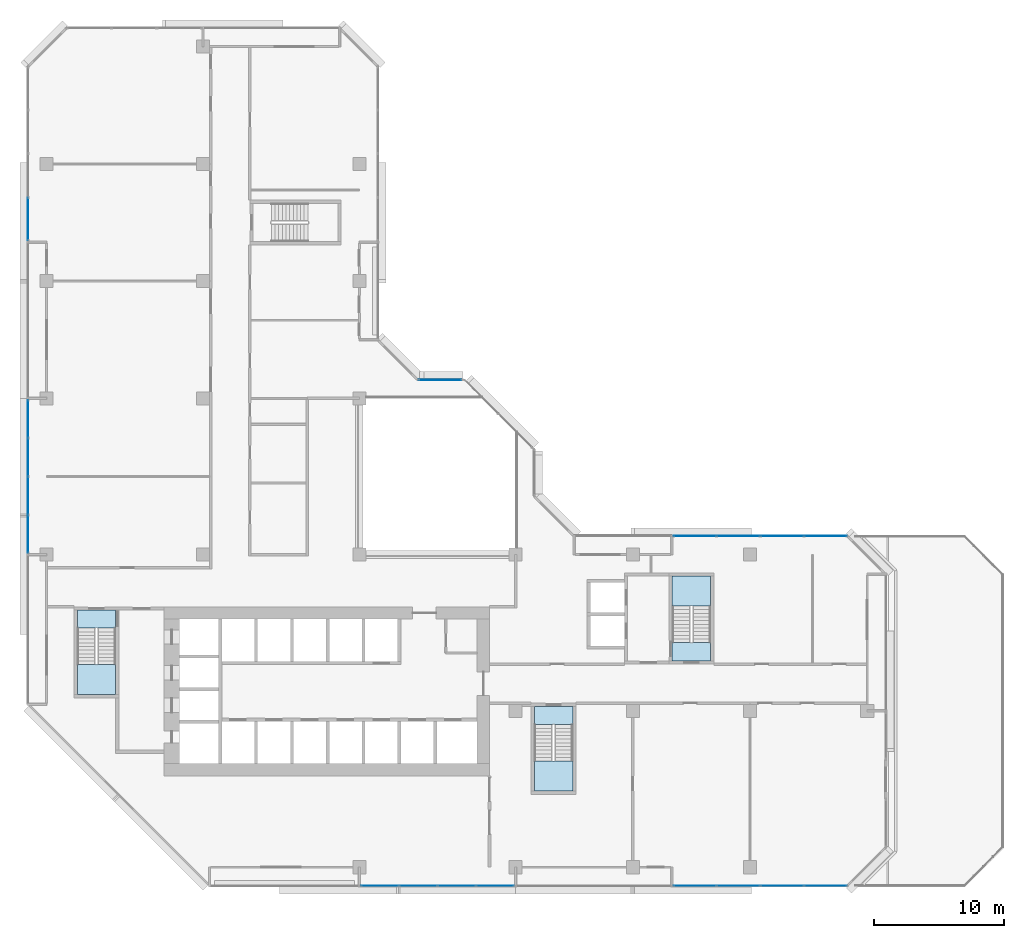
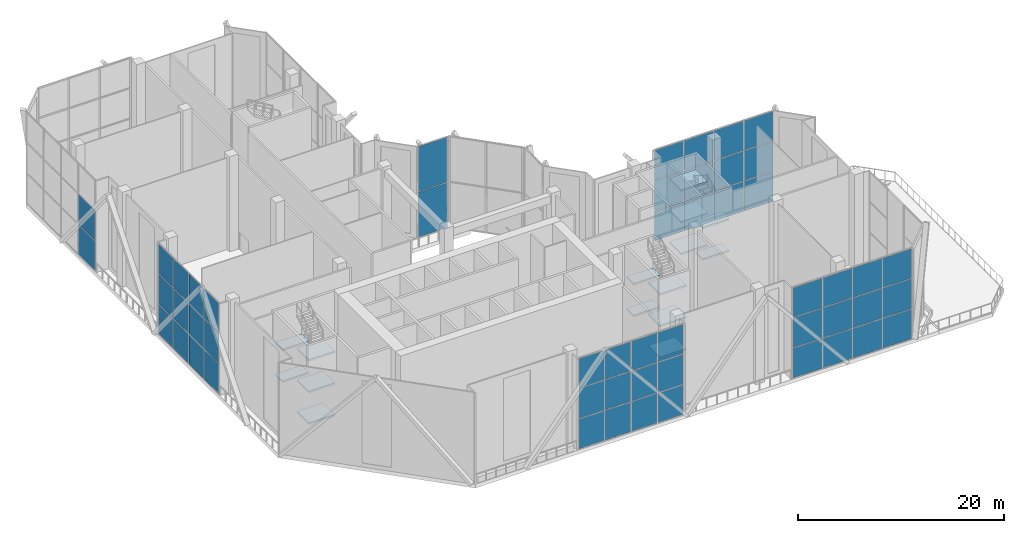
# One storey, part 10 of 21: 52 plates, 15 slabs, 9 elements without a shape of their own.
"""IFC4 building model written with IfcOpenShell, lengths in metres."""

from ifc_helpers import new_model, si_unit, direction, frame, origin, origin_2d, place, context, subcontext, project, spatial, polyline, rectangle, outline, extrude, material, layer, layer_set, type_object, element, aggregate, save


model = new_model("IFC4")

# Units and contexts
model_context = context("Model", 3, precision=1e-05, world=origin(), true_north=direction((0.0, 1.0)))
body_context = subcontext(model_context, "Body", "Model", "MODEL_VIEW")
ifc_project = project(units=[si_unit("LENGTHUNIT", "METRE"), si_unit("AREAUNIT", "SQUARE_METRE"), si_unit("VOLUMEUNIT", "CUBIC_METRE"), si_unit("PLANEANGLEUNIT", "RADIAN"), si_unit("MASSUNIT", "GRAM", prefix="KILO")], contexts=[model_context])

# Site, building, storey
site_placement = place(None, origin())
site = spatial("IfcSite", under=ifc_project, at=site_placement, CompositionType="ELEMENT")
building_placement = place(site_placement, origin())
building = spatial("IfcBuilding", under=site, at=building_placement, Name="Chenar Terraces", CompositionType="ELEMENT")
storey_placement = place(building_placement, frame((0.0, 0.0, 146.14990234375)))
storey = spatial("IfcBuildingStorey", under=building, at=storey_placement, Name="L34", CompositionType="ELEMENT", Elevation=146.14990234375)

# Curtain wall, plates
ifc_material_1 = material(Name="Aluminium framed glazing", Category="aluminium")
ifc_layer_1 = layer(ifc_material_1, 0.14990234375)
ifc_layer_set_1 = layer_set([ifc_layer_1], Name="Aluminium framed glazing")
curtain_wall_type_1 = type_object("IfcCurtainWallType", Name="Atrium mid-zone curtain wall", PredefinedType="NOTDEFINED", material=ifc_layer_set_1)
placement_1 = place(storey_placement, origin())
curtain_wall_1 = element("IfcCurtainWall", 1, at=placement_1, inside=storey, type_object=curtain_wall_type_1, Name="Atrium mid-zone curtain wall", PredefinedType="NOTDEFINED")
ifc_material_2 = material(Name="Low emissivity laminated glass, solar control coating", Category="glass")
ifc_layer_2 = layer(ifc_material_2, 0.031982421875)
ifc_layer_set_2 = layer_set([ifc_layer_2], Name="Low emissivity laminated glass, solar control coating")
plate_type_1 = type_object("IfcPlateType", Name="Atrium mid-zone glazing panel 32", PredefinedType="CURTAIN_PANEL", material=ifc_layer_set_2)
plate_1_placement = place(storey_placement, frame((30.199951171875, 37.425048828125, 0.06982421875), z_axis=(0.0, 0.0, 1.0), x_axis=(-1.0, 0.0, 0.0)))
plate_1 = element("IfcPlate", 2, at=plate_1_placement, type_object=plate_type_1, Name="CW7-3 panel 1.1", PredefinedType="CURTAIN_PANEL", context=body_context, shape_type="SweptSolid", body=[
    extrude(rectangle(XDim=3.260009765625, YDim=0.031982421875, at=origin_2d()), origin(), (0.0, 0.0, 1.0), 5.320068359375),
])
plate_2_placement = place(storey_placement, frame((30.199951171875, 37.425048828125, 5.4599609375), z_axis=(0.0, 0.0, 1.0), x_axis=(-1.0, 0.0, 0.0)))
plate_2 = element("IfcPlate", 3, at=plate_2_placement, type_object=plate_type_1, Name="CW7-3 panel 1.2", PredefinedType="CURTAIN_PANEL", context=body_context, shape_type="SweptSolid", body=[
    extrude(rectangle(XDim=3.260009765625, YDim=0.031982421875, at=origin_2d()), origin(), (0.0, 0.0, 1.0), 5.320068359375),
])
aggregate(curtain_wall_1, [plate_1, plate_2])

# Stair, slabs
ifc_material_3 = material(Name="Reinforced concrete C40/50", Category="concrete")
stair_type = type_object("IfcStairType", Name="Core stair 1400 half-turn", PredefinedType="HALF_TURN_STAIR", material=ifc_material_3)
stair_1 = element("IfcStair", 4, at=placement_1, inside=storey, type_object=stair_type, Name="L34 Stair 1", PredefinedType="HALF_TURN_STAIR")
ifc_material_4 = material(Name="Reinforced concrete C40/50", Category="concrete")
ifc_layer_3 = layer(ifc_material_4, 0.199951171875)
ifc_layer_set_3 = layer_set([ifc_layer_3], Name="Reinforced concrete C40/50")
slab_type = type_object("IfcSlabType", Name="Core stair landing 200", PredefinedType="LANDING", material=ifc_layer_set_3)
placement_2 = place(storey_placement, frame((0.0, 0.0, 1.675048828125)))
slab_1 = element("IfcSlab", 5, at=placement_2, type_object=slab_type, Name="ST1 landing 1", PredefinedType="LANDING", context=body_context, shape_type="SweptSolid", body=[
    extrude(outline(polyline([(2.35009765625, 15.550048828125), (2.35009765625, 13.25), (5.300048828125, 13.25), (5.300048828125, 15.550048828125), (2.35009765625, 15.550048828125)])), origin(), (0.0, 0.0, 1.0), 0.199951171875),
])
placement_3 = place(storey_placement, frame((0.0, 0.0, 3.550048828125)))
slab_2 = element("IfcSlab", 6, at=placement_3, type_object=slab_type, Name="ST1 landing 2", PredefinedType="LANDING", context=body_context, shape_type="SweptSolid", body=[
    extrude(outline(polyline([(2.35009765625, 19.75), (2.35009765625, 18.35009765625), (5.300048828125, 18.35009765625), (5.300048828125, 19.75), (2.35009765625, 19.75)])), origin(), (0.0, 0.0, 1.0), 0.199951171875),
])
placement_4 = place(storey_placement, frame((0.0, 0.0, 5.425048828125)))
slab_3 = element("IfcSlab", 7, at=placement_4, type_object=slab_type, Name="ST1 landing 3", PredefinedType="LANDING", context=body_context, shape_type="SweptSolid", body=[
    extrude(outline(polyline([(2.35009765625, 15.550048828125), (2.35009765625, 13.25), (5.300048828125, 13.25), (5.300048828125, 15.550048828125), (2.35009765625, 15.550048828125)])), origin(), (0.0, 0.0, 1.0), 0.199951171875),
])
placement_5 = place(storey_placement, frame((0.0, 0.0, 7.300048828125)))
slab_4 = element("IfcSlab", 8, at=placement_5, type_object=slab_type, Name="ST1 landing 4", PredefinedType="LANDING", context=body_context, shape_type="SweptSolid", body=[
    extrude(outline(polyline([(2.35009765625, 19.75), (2.35009765625, 18.35009765625), (5.300048828125, 18.35009765625), (5.300048828125, 19.75), (2.35009765625, 19.75)])), origin(), (0.0, 0.0, 1.0), 0.199951171875),
])
placement_6 = place(storey_placement, frame((0.0, 0.0, 9.175048828125)))
slab_5 = element("IfcSlab", 9, at=placement_6, type_object=slab_type, Name="ST1 landing 5", PredefinedType="LANDING", context=body_context, shape_type="SweptSolid", body=[
    extrude(outline(polyline([(2.35009765625, 15.550048828125), (2.35009765625, 13.25), (5.300048828125, 13.25), (5.300048828125, 15.550048828125), (2.35009765625, 15.550048828125)])), origin(), (0.0, 0.0, 1.0), 0.199951171875),
])
aggregate(stair_1, [slab_1, slab_2, slab_3, slab_4, slab_5])

stair_2 = element("IfcStair", 10, at=placement_1, inside=storey, type_object=stair_type, Name="L34 Stair 2", PredefinedType="HALF_TURN_STAIR")
slab_6 = element("IfcSlab", 11, at=placement_2, type_object=slab_type, Name="ST2 landing 1", PredefinedType="LANDING", context=body_context, shape_type="SweptSolid", body=[
    extrude(outline(polyline([(37.449951171875, 8.14990234375), (37.449951171875, 5.85009765625), (40.39990234375, 5.85009765625), (40.39990234375, 8.14990234375), (37.449951171875, 8.14990234375)])), origin(), (0.0, 0.0, 1.0), 0.199951171875),
])
slab_7 = element("IfcSlab", 12, at=placement_3, type_object=slab_type, Name="ST2 landing 2", PredefinedType="LANDING", context=body_context, shape_type="SweptSolid", body=[
    extrude(outline(polyline([(37.449951171875, 12.35009765625), (37.449951171875, 10.949951171875), (40.39990234375, 10.949951171875), (40.39990234375, 12.35009765625), (37.449951171875, 12.35009765625)])), origin(), (0.0, 0.0, 1.0), 0.199951171875),
])
slab_8 = element("IfcSlab", 13, at=placement_4, type_object=slab_type, Name="ST2 landing 3", PredefinedType="LANDING", context=body_context, shape_type="SweptSolid", body=[
    extrude(outline(polyline([(37.449951171875, 8.14990234375), (37.449951171875, 5.85009765625), (40.39990234375, 5.85009765625), (40.39990234375, 8.14990234375), (37.449951171875, 8.14990234375)])), origin(), (0.0, 0.0, 1.0), 0.199951171875),
])
slab_9 = element("IfcSlab", 14, at=placement_5, type_object=slab_type, Name="ST2 landing 4", PredefinedType="LANDING", context=body_context, shape_type="SweptSolid", body=[
    extrude(outline(polyline([(37.449951171875, 12.35009765625), (37.449951171875, 10.949951171875), (40.39990234375, 10.949951171875), (40.39990234375, 12.35009765625), (37.449951171875, 12.35009765625)])), origin(), (0.0, 0.0, 1.0), 0.199951171875),
])
slab_10 = element("IfcSlab", 15, at=placement_6, type_object=slab_type, Name="ST2 landing 5", PredefinedType="LANDING", context=body_context, shape_type="SweptSolid", body=[
    extrude(outline(polyline([(37.449951171875, 8.14990234375), (37.449951171875, 5.85009765625), (40.39990234375, 5.85009765625), (40.39990234375, 8.14990234375), (37.449951171875, 8.14990234375)])), origin(), (0.0, 0.0, 1.0), 0.199951171875),
])
aggregate(stair_2, [slab_6, slab_7, slab_8, slab_9, slab_10])

stair_3 = element("IfcStair", 16, at=placement_1, inside=storey, type_object=stair_type, Name="L34 Stair 3", PredefinedType="HALF_TURN_STAIR")
slab_11 = element("IfcSlab", 17, at=placement_2, type_object=slab_type, Name="ST3 landing 1", PredefinedType="LANDING", context=body_context, shape_type="SweptSolid", body=[
    extrude(outline(polyline([(50.97509765625, 20.050048828125), (50.97509765625, 22.35009765625), (48.02490234375, 22.35009765625), (48.02490234375, 20.050048828125), (50.97509765625, 20.050048828125)])), origin(), (0.0, 0.0, 1.0), 0.199951171875),
])
slab_12 = element("IfcSlab", 18, at=placement_3, type_object=slab_type, Name="ST3 landing 2", PredefinedType="LANDING", context=body_context, shape_type="SweptSolid", body=[
    extrude(outline(polyline([(50.97509765625, 15.85009765625), (50.97509765625, 17.25), (48.02490234375, 17.25), (48.02490234375, 15.85009765625), (50.97509765625, 15.85009765625)])), origin(), (0.0, 0.0, 1.0), 0.199951171875),
])
slab_13 = element("IfcSlab", 19, at=placement_4, type_object=slab_type, Name="ST3 landing 3", PredefinedType="LANDING", context=body_context, shape_type="SweptSolid", body=[
    extrude(outline(polyline([(50.97509765625, 20.050048828125), (50.97509765625, 22.35009765625), (48.02490234375, 22.35009765625), (48.02490234375, 20.050048828125), (50.97509765625, 20.050048828125)])), origin(), (0.0, 0.0, 1.0), 0.199951171875),
])
slab_14 = element("IfcSlab", 20, at=placement_5, type_object=slab_type, Name="ST3 landing 4", PredefinedType="LANDING", context=body_context, shape_type="SweptSolid", body=[
    extrude(outline(polyline([(50.97509765625, 15.85009765625), (50.97509765625, 17.25), (48.02490234375, 17.25), (48.02490234375, 15.85009765625), (50.97509765625, 15.85009765625)])), origin(), (0.0, 0.0, 1.0), 0.199951171875),
])
slab_15 = element("IfcSlab", 21, at=placement_6, type_object=slab_type, Name="ST3 landing 5", PredefinedType="LANDING", context=body_context, shape_type="SweptSolid", body=[
    extrude(outline(polyline([(50.97509765625, 20.050048828125), (50.97509765625, 22.35009765625), (48.02490234375, 22.35009765625), (48.02490234375, 20.050048828125), (50.97509765625, 20.050048828125)])), origin(), (0.0, 0.0, 1.0), 0.199951171875),
])
aggregate(stair_3, [slab_11, slab_12, slab_13, slab_14, slab_15])

# Curtain wall, plates
ifc_material_5 = material(Name="Aluminium framed glazing", Category="aluminium")
ifc_layer_4 = layer(ifc_material_5, 0.14990234375)
ifc_layer_set_4 = layer_set([ifc_layer_4], Name="Aluminium framed glazing")
curtain_wall_type_2 = type_object("IfcCurtainWallType", Name="Sky garden curtain wall", PredefinedType="NOTDEFINED", material=ifc_layer_set_4)
curtain_wall_2 = element("IfcCurtainWall", 22, at=placement_1, inside=storey, type_object=curtain_wall_type_2, Name="Sky garden curtain wall", PredefinedType="NOTDEFINED")
ifc_material_6 = material(Name="Low emissivity laminated glass, solar control coating", Category="glass")
ifc_layer_5 = layer(ifc_material_6, 0.031982421875)
ifc_layer_set_5 = layer_set([ifc_layer_5], Name="Low emissivity laminated glass, solar control coating")
plate_type_2 = type_object("IfcPlateType", Name="Sky garden glazing panel 32", PredefinedType="CURTAIN_PANEL", material=ifc_layer_set_5)
plate_3_placement = place(storey_placement, frame((59.8017578125, 25.425048828125, 0.080078125), z_axis=(0.0, 0.0, 1.0), x_axis=(-1.0, 0.0, 0.0)))
plate_3 = element("IfcPlate", 23, at=plate_3_placement, type_object=plate_type_2, Name="CW3-01 panel 1.1", PredefinedType="CURTAIN_PANEL", context=body_context, shape_type="SweptSolid", body=[
    extrude(rectangle(XDim=3.236328125, YDim=0.028076171875, at=origin_2d()), origin(), (0.0, 0.0, 1.0), 3.4970703125),
])
plate_4_placement = place(storey_placement, frame((59.8017578125, 25.425048828125, 3.6572265625), z_axis=(0.0, 0.0, 1.0), x_axis=(-1.0, 0.0, 0.0)))
plate_4 = element("IfcPlate", 24, at=plate_4_placement, type_object=plate_type_2, Name="CW3-01 panel 1.2", PredefinedType="CURTAIN_PANEL", context=body_context, shape_type="SweptSolid", body=[
    extrude(rectangle(XDim=3.236328125, YDim=0.028076171875, at=origin_2d()), origin(), (0.0, 0.0, 1.0), 3.535888671875),
])
plate_5_placement = place(storey_placement, frame((59.8017578125, 25.425048828125, 7.27294921875), z_axis=(0.0, 0.0, 1.0), x_axis=(-1.0, 0.0, 0.0)))
plate_5 = element("IfcPlate", 25, at=plate_5_placement, type_object=plate_type_2, Name="CW3-01 panel 1.3", PredefinedType="CURTAIN_PANEL", context=body_context, shape_type="SweptSolid", body=[
    extrude(rectangle(XDim=3.236328125, YDim=0.028076171875, at=origin_2d()), origin(), (0.0, 0.0, 1.0), 3.4970703125),
])
plate_6_placement = place(storey_placement, frame((56.465576171875, 25.425048828125, 0.080078125), z_axis=(0.0, 0.0, 1.0), x_axis=(-1.0, 0.0, 0.0)))
plate_6 = element("IfcPlate", 26, at=plate_6_placement, type_object=plate_type_2, Name="CW3-01 panel 2.1", PredefinedType="CURTAIN_PANEL", context=body_context, shape_type="SweptSolid", body=[
    extrude(rectangle(XDim=3.2763671875, YDim=0.028076171875, at=origin_2d()), origin(), (0.0, 0.0, 1.0), 3.4970703125),
])
plate_7_placement = place(storey_placement, frame((56.465576171875, 25.425048828125, 3.6572265625), z_axis=(0.0, 0.0, 1.0), x_axis=(-1.0, 0.0, 0.0)))
plate_7 = element("IfcPlate", 27, at=plate_7_placement, type_object=plate_type_2, Name="CW3-01 panel 2.2", PredefinedType="CURTAIN_PANEL", context=body_context, shape_type="SweptSolid", body=[
    extrude(rectangle(XDim=3.2763671875, YDim=0.028076171875, at=origin_2d()), origin(), (0.0, 0.0, 1.0), 3.535888671875),
])
plate_8_placement = place(storey_placement, frame((56.465576171875, 25.425048828125, 7.27294921875), z_axis=(0.0, 0.0, 1.0), x_axis=(-1.0, 0.0, 0.0)))
plate_8 = element("IfcPlate", 28, at=plate_8_placement, type_object=plate_type_2, Name="CW3-01 panel 2.3", PredefinedType="CURTAIN_PANEL", context=body_context, shape_type="SweptSolid", body=[
    extrude(rectangle(XDim=3.2763671875, YDim=0.028076171875, at=origin_2d()), origin(), (0.0, 0.0, 1.0), 3.4970703125),
])
plate_9_placement = place(storey_placement, frame((53.109375, 25.425048828125, 0.080078125), z_axis=(0.0, 0.0, 1.0), x_axis=(-1.0, 0.0, 0.0)))
plate_9 = element("IfcPlate", 29, at=plate_9_placement, type_object=plate_type_2, Name="CW3-01 panel 3.1", PredefinedType="CURTAIN_PANEL", context=body_context, shape_type="SweptSolid", body=[
    extrude(rectangle(XDim=3.2763671875, YDim=0.028076171875, at=origin_2d()), origin(), (0.0, 0.0, 1.0), 3.4970703125),
])
plate_10_placement = place(storey_placement, frame((53.109375, 25.425048828125, 3.6572265625), z_axis=(0.0, 0.0, 1.0), x_axis=(-1.0, 0.0, 0.0)))
plate_10 = element("IfcPlate", 30, at=plate_10_placement, type_object=plate_type_2, Name="CW3-01 panel 3.2", PredefinedType="CURTAIN_PANEL", context=body_context, shape_type="SweptSolid", body=[
    extrude(rectangle(XDim=3.2763671875, YDim=0.028076171875, at=origin_2d()), origin(), (0.0, 0.0, 1.0), 3.535888671875),
])
plate_11_placement = place(storey_placement, frame((53.109375, 25.425048828125, 7.27294921875), z_axis=(0.0, 0.0, 1.0), x_axis=(-1.0, 0.0, 0.0)))
plate_11 = element("IfcPlate", 31, at=plate_11_placement, type_object=plate_type_2, Name="CW3-01 panel 3.3", PredefinedType="CURTAIN_PANEL", context=body_context, shape_type="SweptSolid", body=[
    extrude(rectangle(XDim=3.2763671875, YDim=0.028076171875, at=origin_2d()), origin(), (0.0, 0.0, 1.0), 3.4970703125),
])
plate_12_placement = place(storey_placement, frame((49.773193359375, 25.425048828125, 0.080078125), z_axis=(0.0, 0.0, 1.0), x_axis=(-1.0, 0.0, 0.0)))
plate_12 = element("IfcPlate", 32, at=plate_12_placement, type_object=plate_type_2, Name="CW3-01 panel 4.1", PredefinedType="CURTAIN_PANEL", context=body_context, shape_type="SweptSolid", body=[
    extrude(rectangle(XDim=3.236328125, YDim=0.028076171875, at=origin_2d()), origin(), (0.0, 0.0, 1.0), 3.4970703125),
])
plate_13_placement = place(storey_placement, frame((49.773193359375, 25.425048828125, 3.6572265625), z_axis=(0.0, 0.0, 1.0), x_axis=(-1.0, 0.0, 0.0)))
plate_13 = element("IfcPlate", 33, at=plate_13_placement, type_object=plate_type_2, Name="CW3-01 panel 4.2", PredefinedType="CURTAIN_PANEL", context=body_context, shape_type="SweptSolid", body=[
    extrude(rectangle(XDim=3.236328125, YDim=0.028076171875, at=origin_2d()), origin(), (0.0, 0.0, 1.0), 3.535888671875),
])
plate_14_placement = place(storey_placement, frame((49.773193359375, 25.425048828125, 7.27294921875), z_axis=(0.0, 0.0, 1.0), x_axis=(-1.0, 0.0, 0.0)))
plate_14 = element("IfcPlate", 34, at=plate_14_placement, type_object=plate_type_2, Name="CW3-01 panel 4.3", PredefinedType="CURTAIN_PANEL", context=body_context, shape_type="SweptSolid", body=[
    extrude(rectangle(XDim=3.236328125, YDim=0.028076171875, at=origin_2d()), origin(), (0.0, 0.0, 1.0), 3.4970703125),
])
aggregate(curtain_wall_2, [plate_3, plate_4, plate_5, plate_6, plate_7, plate_8, plate_9, plate_10, plate_11, plate_12, plate_13, plate_14])

curtain_wall_3 = element("IfcCurtainWall", 35, at=placement_1, inside=storey, type_object=curtain_wall_type_2, Name="Sky garden curtain wall", PredefinedType="NOTDEFINED")
plate_15_placement = place(storey_placement, frame((-1.425048828125, 49.773193359375, 0.080078125), z_axis=(0.0, 0.0, 1.0), x_axis=(0.0, -1.0, 0.0)))
plate_15 = element("IfcPlate", 36, at=plate_15_placement, type_object=plate_type_2, Name="CW3-04 panel 4.1", PredefinedType="CURTAIN_PANEL", context=body_context, shape_type="SweptSolid", body=[
    extrude(rectangle(XDim=3.236328125, YDim=0.028076171875, at=origin_2d()), origin(), (0.0, 0.0, 1.0), 3.4970703125),
])
plate_16_placement = place(storey_placement, frame((-1.425048828125, 49.773193359375, 3.6572265625), z_axis=(0.0, 0.0, 1.0), x_axis=(0.0, -1.0, 0.0)))
plate_16 = element("IfcPlate", 37, at=plate_16_placement, type_object=plate_type_2, Name="CW3-04 panel 4.2", PredefinedType="CURTAIN_PANEL", context=body_context, shape_type="SweptSolid", body=[
    extrude(rectangle(XDim=3.236328125, YDim=0.028076171875, at=origin_2d()), origin(), (0.0, 0.0, 1.0), 3.535888671875),
])
aggregate(curtain_wall_3, [plate_15, plate_16])

curtain_wall_4 = element("IfcCurtainWall", 38, at=placement_1, inside=storey, type_object=curtain_wall_type_2, Name="Sky garden curtain wall", PredefinedType="NOTDEFINED")
plate_17_placement = place(storey_placement, frame((-1.425048828125, 34.423828125, 0.080078125), z_axis=(0.0, 0.0, 1.0), x_axis=(0.0, -1.0, 0.0)))
plate_17 = element("IfcPlate", 39, at=plate_17_placement, type_object=plate_type_2, Name="CW3-05 panel 1.1", PredefinedType="CURTAIN_PANEL", context=body_context, shape_type="SweptSolid", body=[
    extrude(rectangle(XDim=2.842529296875, YDim=0.028076171875, at=origin_2d()), origin(), (0.0, 0.0, 1.0), 3.4970703125),
])
plate_18_placement = place(storey_placement, frame((-1.425048828125, 34.423828125, 3.6572265625), z_axis=(0.0, 0.0, 1.0), x_axis=(0.0, -1.0, 0.0)))
plate_18 = element("IfcPlate", 40, at=plate_18_placement, type_object=plate_type_2, Name="CW3-05 panel 1.2", PredefinedType="CURTAIN_PANEL", context=body_context, shape_type="SweptSolid", body=[
    extrude(rectangle(XDim=2.842529296875, YDim=0.028076171875, at=origin_2d()), origin(), (0.0, 0.0, 1.0), 3.535888671875),
])
plate_19_placement = place(storey_placement, frame((-1.425048828125, 34.423828125, 7.27294921875), z_axis=(0.0, 0.0, 1.0), x_axis=(0.0, -1.0, 0.0)))
plate_19 = element("IfcPlate", 41, at=plate_19_placement, type_object=plate_type_2, Name="CW3-05 panel 1.3", PredefinedType="CURTAIN_PANEL", context=body_context, shape_type="SweptSolid", body=[
    extrude(rectangle(XDim=2.842529296875, YDim=0.028076171875, at=origin_2d()), origin(), (0.0, 0.0, 1.0), 3.4970703125),
])
plate_20_placement = place(storey_placement, frame((-1.425048828125, 31.481201171875, 0.080078125), z_axis=(0.0, 0.0, 1.0), x_axis=(0.0, -1.0, 0.0)))
plate_20 = element("IfcPlate", 42, at=plate_20_placement, type_object=plate_type_2, Name="CW3-05 panel 2.1", PredefinedType="CURTAIN_PANEL", context=body_context, shape_type="SweptSolid", body=[
    extrude(rectangle(XDim=2.882568359375, YDim=0.028076171875, at=origin_2d()), origin(), (0.0, 0.0, 1.0), 3.4970703125),
])
plate_21_placement = place(storey_placement, frame((-1.425048828125, 31.481201171875, 3.6572265625), z_axis=(0.0, 0.0, 1.0), x_axis=(0.0, -1.0, 0.0)))
plate_21 = element("IfcPlate", 43, at=plate_21_placement, type_object=plate_type_2, Name="CW3-05 panel 2.2", PredefinedType="CURTAIN_PANEL", context=body_context, shape_type="SweptSolid", body=[
    extrude(rectangle(XDim=2.882568359375, YDim=0.028076171875, at=origin_2d()), origin(), (0.0, 0.0, 1.0), 3.535888671875),
])
plate_22_placement = place(storey_placement, frame((-1.425048828125, 31.481201171875, 7.27294921875), z_axis=(0.0, 0.0, 1.0), x_axis=(0.0, -1.0, 0.0)))
plate_22 = element("IfcPlate", 44, at=plate_22_placement, type_object=plate_type_2, Name="CW3-05 panel 2.3", PredefinedType="CURTAIN_PANEL", context=body_context, shape_type="SweptSolid", body=[
    extrude(rectangle(XDim=2.882568359375, YDim=0.028076171875, at=origin_2d()), origin(), (0.0, 0.0, 1.0), 3.4970703125),
])
plate_23_placement = place(storey_placement, frame((-1.425048828125, 28.518798828125, 0.080078125), z_axis=(0.0, 0.0, 1.0), x_axis=(0.0, -1.0, 0.0)))
plate_23 = element("IfcPlate", 45, at=plate_23_placement, type_object=plate_type_2, Name="CW3-05 panel 3.1", PredefinedType="CURTAIN_PANEL", context=body_context, shape_type="SweptSolid", body=[
    extrude(rectangle(XDim=2.882568359375, YDim=0.028076171875, at=origin_2d()), origin(), (0.0, 0.0, 1.0), 3.4970703125),
])
plate_24_placement = place(storey_placement, frame((-1.425048828125, 28.518798828125, 3.6572265625), z_axis=(0.0, 0.0, 1.0), x_axis=(0.0, -1.0, 0.0)))
plate_24 = element("IfcPlate", 46, at=plate_24_placement, type_object=plate_type_2, Name="CW3-05 panel 3.2", PredefinedType="CURTAIN_PANEL", context=body_context, shape_type="SweptSolid", body=[
    extrude(rectangle(XDim=2.882568359375, YDim=0.028076171875, at=origin_2d()), origin(), (0.0, 0.0, 1.0), 3.535888671875),
])
plate_25_placement = place(storey_placement, frame((-1.425048828125, 28.518798828125, 7.27294921875), z_axis=(0.0, 0.0, 1.0), x_axis=(0.0, -1.0, 0.0)))
plate_25 = element("IfcPlate", 47, at=plate_25_placement, type_object=plate_type_2, Name="CW3-05 panel 3.3", PredefinedType="CURTAIN_PANEL", context=body_context, shape_type="SweptSolid", body=[
    extrude(rectangle(XDim=2.882568359375, YDim=0.028076171875, at=origin_2d()), origin(), (0.0, 0.0, 1.0), 3.4970703125),
])
plate_26_placement = place(storey_placement, frame((-1.425048828125, 25.576171875, 0.080078125), z_axis=(0.0, 0.0, 1.0), x_axis=(0.0, -1.0, 0.0)))
plate_26 = element("IfcPlate", 48, at=plate_26_placement, type_object=plate_type_2, Name="CW3-05 panel 4.1", PredefinedType="CURTAIN_PANEL", context=body_context, shape_type="SweptSolid", body=[
    extrude(rectangle(XDim=2.842529296875, YDim=0.028076171875, at=origin_2d()), origin(), (0.0, 0.0, 1.0), 3.4970703125),
])
plate_27_placement = place(storey_placement, frame((-1.425048828125, 25.576171875, 3.6572265625), z_axis=(0.0, 0.0, 1.0), x_axis=(0.0, -1.0, 0.0)))
plate_27 = element("IfcPlate", 49, at=plate_27_placement, type_object=plate_type_2, Name="CW3-05 panel 4.2", PredefinedType="CURTAIN_PANEL", context=body_context, shape_type="SweptSolid", body=[
    extrude(rectangle(XDim=2.842529296875, YDim=0.028076171875, at=origin_2d()), origin(), (0.0, 0.0, 1.0), 3.535888671875),
])
plate_28_placement = place(storey_placement, frame((-1.425048828125, 25.576171875, 7.27294921875), z_axis=(0.0, 0.0, 1.0), x_axis=(0.0, -1.0, 0.0)))
plate_28 = element("IfcPlate", 50, at=plate_28_placement, type_object=plate_type_2, Name="CW3-05 panel 4.3", PredefinedType="CURTAIN_PANEL", context=body_context, shape_type="SweptSolid", body=[
    extrude(rectangle(XDim=2.842529296875, YDim=0.028076171875, at=origin_2d()), origin(), (0.0, 0.0, 1.0), 3.4970703125),
])
aggregate(curtain_wall_4, [plate_17, plate_18, plate_19, plate_20, plate_21, plate_22, plate_23, plate_24, plate_25, plate_26, plate_27, plate_28])

curtain_wall_5 = element("IfcCurtainWall", 51, at=placement_1, inside=storey, type_object=curtain_wall_type_2, Name="Sky garden curtain wall", PredefinedType="NOTDEFINED")
plate_29_placement = place(storey_placement, frame((25.576171875, -1.425048828125, 0.080078125), z_axis=(0.0, 0.0, 1.0), x_axis=(1.0, 0.0, 0.0)))
plate_29 = element("IfcPlate", 52, at=plate_29_placement, type_object=plate_type_2, Name="CW3-06 panel 1.1", PredefinedType="CURTAIN_PANEL", context=body_context, shape_type="SweptSolid", body=[
    extrude(rectangle(XDim=2.842529296875, YDim=0.028076171875, at=origin_2d()), origin(), (0.0, 0.0, 1.0), 3.4970703125),
])
plate_30_placement = place(storey_placement, frame((25.576171875, -1.425048828125, 3.6572265625), z_axis=(0.0, 0.0, 1.0), x_axis=(1.0, 0.0, 0.0)))
plate_30 = element("IfcPlate", 53, at=plate_30_placement, type_object=plate_type_2, Name="CW3-06 panel 1.2", PredefinedType="CURTAIN_PANEL", context=body_context, shape_type="SweptSolid", body=[
    extrude(rectangle(XDim=2.842529296875, YDim=0.028076171875, at=origin_2d()), origin(), (0.0, 0.0, 1.0), 3.535888671875),
])
plate_31_placement = place(storey_placement, frame((25.576171875, -1.425048828125, 7.27294921875), z_axis=(0.0, 0.0, 1.0), x_axis=(1.0, 0.0, 0.0)))
plate_31 = element("IfcPlate", 54, at=plate_31_placement, type_object=plate_type_2, Name="CW3-06 panel 1.3", PredefinedType="CURTAIN_PANEL", context=body_context, shape_type="SweptSolid", body=[
    extrude(rectangle(XDim=2.842529296875, YDim=0.028076171875, at=origin_2d()), origin(), (0.0, 0.0, 1.0), 3.4970703125),
])
plate_32_placement = place(storey_placement, frame((28.518798828125, -1.425048828125, 0.080078125), z_axis=(0.0, 0.0, 1.0), x_axis=(1.0, 0.0, 0.0)))
plate_32 = element("IfcPlate", 55, at=plate_32_placement, type_object=plate_type_2, Name="CW3-06 panel 2.1", PredefinedType="CURTAIN_PANEL", context=body_context, shape_type="SweptSolid", body=[
    extrude(rectangle(XDim=2.882568359375, YDim=0.028076171875, at=origin_2d()), origin(), (0.0, 0.0, 1.0), 3.4970703125),
])
plate_33_placement = place(storey_placement, frame((28.518798828125, -1.425048828125, 3.6572265625), z_axis=(0.0, 0.0, 1.0), x_axis=(1.0, 0.0, 0.0)))
plate_33 = element("IfcPlate", 56, at=plate_33_placement, type_object=plate_type_2, Name="CW3-06 panel 2.2", PredefinedType="CURTAIN_PANEL", context=body_context, shape_type="SweptSolid", body=[
    extrude(rectangle(XDim=2.882568359375, YDim=0.028076171875, at=origin_2d()), origin(), (0.0, 0.0, 1.0), 3.535888671875),
])
plate_34_placement = place(storey_placement, frame((28.518798828125, -1.425048828125, 7.27294921875), z_axis=(0.0, 0.0, 1.0), x_axis=(1.0, 0.0, 0.0)))
plate_34 = element("IfcPlate", 57, at=plate_34_placement, type_object=plate_type_2, Name="CW3-06 panel 2.3", PredefinedType="CURTAIN_PANEL", context=body_context, shape_type="SweptSolid", body=[
    extrude(rectangle(XDim=2.882568359375, YDim=0.028076171875, at=origin_2d()), origin(), (0.0, 0.0, 1.0), 3.4970703125),
])
plate_35_placement = place(storey_placement, frame((31.481201171875, -1.425048828125, 0.080078125), z_axis=(0.0, 0.0, 1.0), x_axis=(1.0, 0.0, 0.0)))
plate_35 = element("IfcPlate", 58, at=plate_35_placement, type_object=plate_type_2, Name="CW3-06 panel 3.1", PredefinedType="CURTAIN_PANEL", context=body_context, shape_type="SweptSolid", body=[
    extrude(rectangle(XDim=2.882568359375, YDim=0.028076171875, at=origin_2d()), origin(), (0.0, 0.0, 1.0), 3.4970703125),
])
plate_36_placement = place(storey_placement, frame((31.481201171875, -1.425048828125, 3.6572265625), z_axis=(0.0, 0.0, 1.0), x_axis=(1.0, 0.0, 0.0)))
plate_36 = element("IfcPlate", 59, at=plate_36_placement, type_object=plate_type_2, Name="CW3-06 panel 3.2", PredefinedType="CURTAIN_PANEL", context=body_context, shape_type="SweptSolid", body=[
    extrude(rectangle(XDim=2.882568359375, YDim=0.028076171875, at=origin_2d()), origin(), (0.0, 0.0, 1.0), 3.535888671875),
])
plate_37_placement = place(storey_placement, frame((31.481201171875, -1.425048828125, 7.27294921875), z_axis=(0.0, 0.0, 1.0), x_axis=(1.0, 0.0, 0.0)))
plate_37 = element("IfcPlate", 60, at=plate_37_placement, type_object=plate_type_2, Name="CW3-06 panel 3.3", PredefinedType="CURTAIN_PANEL", context=body_context, shape_type="SweptSolid", body=[
    extrude(rectangle(XDim=2.882568359375, YDim=0.028076171875, at=origin_2d()), origin(), (0.0, 0.0, 1.0), 3.4970703125),
])
plate_38_placement = place(storey_placement, frame((34.423828125, -1.425048828125, 0.080078125), z_axis=(0.0, 0.0, 1.0), x_axis=(1.0, 0.0, 0.0)))
plate_38 = element("IfcPlate", 61, at=plate_38_placement, type_object=plate_type_2, Name="CW3-06 panel 4.1", PredefinedType="CURTAIN_PANEL", context=body_context, shape_type="SweptSolid", body=[
    extrude(rectangle(XDim=2.842529296875, YDim=0.028076171875, at=origin_2d()), origin(), (0.0, 0.0, 1.0), 3.4970703125),
])
plate_39_placement = place(storey_placement, frame((34.423828125, -1.425048828125, 3.6572265625), z_axis=(0.0, 0.0, 1.0), x_axis=(1.0, 0.0, 0.0)))
plate_39 = element("IfcPlate", 62, at=plate_39_placement, type_object=plate_type_2, Name="CW3-06 panel 4.2", PredefinedType="CURTAIN_PANEL", context=body_context, shape_type="SweptSolid", body=[
    extrude(rectangle(XDim=2.842529296875, YDim=0.028076171875, at=origin_2d()), origin(), (0.0, 0.0, 1.0), 3.535888671875),
])
plate_40_placement = place(storey_placement, frame((34.423828125, -1.425048828125, 7.27294921875), z_axis=(0.0, 0.0, 1.0), x_axis=(1.0, 0.0, 0.0)))
plate_40 = element("IfcPlate", 63, at=plate_40_placement, type_object=plate_type_2, Name="CW3-06 panel 4.3", PredefinedType="CURTAIN_PANEL", context=body_context, shape_type="SweptSolid", body=[
    extrude(rectangle(XDim=2.842529296875, YDim=0.028076171875, at=origin_2d()), origin(), (0.0, 0.0, 1.0), 3.4970703125),
])
aggregate(curtain_wall_5, [plate_29, plate_30, plate_31, plate_32, plate_33, plate_34, plate_35, plate_36, plate_37, plate_38, plate_39, plate_40])

curtain_wall_6 = element("IfcCurtainWall", 64, at=placement_1, inside=storey, type_object=curtain_wall_type_2, Name="Sky garden curtain wall", PredefinedType="NOTDEFINED")
plate_41_placement = place(storey_placement, frame((49.773193359375, -1.425048828125, 0.080078125), z_axis=(0.0, 0.0, 1.0), x_axis=(1.0, 0.0, 0.0)))
plate_41 = element("IfcPlate", 65, at=plate_41_placement, type_object=plate_type_2, Name="CW3-07 panel 1.1", PredefinedType="CURTAIN_PANEL", context=body_context, shape_type="SweptSolid", body=[
    extrude(rectangle(XDim=3.236328125, YDim=0.028076171875, at=origin_2d()), origin(), (0.0, 0.0, 1.0), 3.4970703125),
])
plate_42_placement = place(storey_placement, frame((49.773193359375, -1.425048828125, 3.6572265625), z_axis=(0.0, 0.0, 1.0), x_axis=(1.0, 0.0, 0.0)))
plate_42 = element("IfcPlate", 66, at=plate_42_placement, type_object=plate_type_2, Name="CW3-07 panel 1.2", PredefinedType="CURTAIN_PANEL", context=body_context, shape_type="SweptSolid", body=[
    extrude(rectangle(XDim=3.236328125, YDim=0.028076171875, at=origin_2d()), origin(), (0.0, 0.0, 1.0), 3.535888671875),
])
plate_43_placement = place(storey_placement, frame((49.773193359375, -1.425048828125, 7.27294921875), z_axis=(0.0, 0.0, 1.0), x_axis=(1.0, 0.0, 0.0)))
plate_43 = element("IfcPlate", 67, at=plate_43_placement, type_object=plate_type_2, Name="CW3-07 panel 1.3", PredefinedType="CURTAIN_PANEL", context=body_context, shape_type="SweptSolid", body=[
    extrude(rectangle(XDim=3.236328125, YDim=0.028076171875, at=origin_2d()), origin(), (0.0, 0.0, 1.0), 3.4970703125),
])
plate_44_placement = place(storey_placement, frame((53.109375, -1.425048828125, 0.080078125), z_axis=(0.0, 0.0, 1.0), x_axis=(1.0, 0.0, 0.0)))
plate_44 = element("IfcPlate", 68, at=plate_44_placement, type_object=plate_type_2, Name="CW3-07 panel 2.1", PredefinedType="CURTAIN_PANEL", context=body_context, shape_type="SweptSolid", body=[
    extrude(rectangle(XDim=3.2763671875, YDim=0.028076171875, at=origin_2d()), origin(), (0.0, 0.0, 1.0), 3.4970703125),
])
plate_45_placement = place(storey_placement, frame((53.109375, -1.425048828125, 3.6572265625), z_axis=(0.0, 0.0, 1.0), x_axis=(1.0, 0.0, 0.0)))
plate_45 = element("IfcPlate", 69, at=plate_45_placement, type_object=plate_type_2, Name="CW3-07 panel 2.2", PredefinedType="CURTAIN_PANEL", context=body_context, shape_type="SweptSolid", body=[
    extrude(rectangle(XDim=3.2763671875, YDim=0.028076171875, at=origin_2d()), origin(), (0.0, 0.0, 1.0), 3.535888671875),
])
plate_46_placement = place(storey_placement, frame((53.109375, -1.425048828125, 7.27294921875), z_axis=(0.0, 0.0, 1.0), x_axis=(1.0, 0.0, 0.0)))
plate_46 = element("IfcPlate", 70, at=plate_46_placement, type_object=plate_type_2, Name="CW3-07 panel 2.3", PredefinedType="CURTAIN_PANEL", context=body_context, shape_type="SweptSolid", body=[
    extrude(rectangle(XDim=3.2763671875, YDim=0.028076171875, at=origin_2d()), origin(), (0.0, 0.0, 1.0), 3.4970703125),
])
plate_47_placement = place(storey_placement, frame((56.465576171875, -1.425048828125, 0.080078125), z_axis=(0.0, 0.0, 1.0), x_axis=(1.0, 0.0, 0.0)))
plate_47 = element("IfcPlate", 71, at=plate_47_placement, type_object=plate_type_2, Name="CW3-07 panel 3.1", PredefinedType="CURTAIN_PANEL", context=body_context, shape_type="SweptSolid", body=[
    extrude(rectangle(XDim=3.2763671875, YDim=0.028076171875, at=origin_2d()), origin(), (0.0, 0.0, 1.0), 3.4970703125),
])
plate_48_placement = place(storey_placement, frame((56.465576171875, -1.425048828125, 3.6572265625), z_axis=(0.0, 0.0, 1.0), x_axis=(1.0, 0.0, 0.0)))
plate_48 = element("IfcPlate", 72, at=plate_48_placement, type_object=plate_type_2, Name="CW3-07 panel 3.2", PredefinedType="CURTAIN_PANEL", context=body_context, shape_type="SweptSolid", body=[
    extrude(rectangle(XDim=3.2763671875, YDim=0.028076171875, at=origin_2d()), origin(), (0.0, 0.0, 1.0), 3.535888671875),
])
plate_49_placement = place(storey_placement, frame((56.465576171875, -1.425048828125, 7.27294921875), z_axis=(0.0, 0.0, 1.0), x_axis=(1.0, 0.0, 0.0)))
plate_49 = element("IfcPlate", 73, at=plate_49_placement, type_object=plate_type_2, Name="CW3-07 panel 3.3", PredefinedType="CURTAIN_PANEL", context=body_context, shape_type="SweptSolid", body=[
    extrude(rectangle(XDim=3.2763671875, YDim=0.028076171875, at=origin_2d()), origin(), (0.0, 0.0, 1.0), 3.4970703125),
])
plate_50_placement = place(storey_placement, frame((59.8017578125, -1.425048828125, 0.080078125), z_axis=(0.0, 0.0, 1.0), x_axis=(1.0, 0.0, 0.0)))
plate_50 = element("IfcPlate", 74, at=plate_50_placement, type_object=plate_type_2, Name="CW3-07 panel 4.1", PredefinedType="CURTAIN_PANEL", context=body_context, shape_type="SweptSolid", body=[
    extrude(rectangle(XDim=3.236328125, YDim=0.028076171875, at=origin_2d()), origin(), (0.0, 0.0, 1.0), 3.4970703125),
])
plate_51_placement = place(storey_placement, frame((59.8017578125, -1.425048828125, 3.6572265625), z_axis=(0.0, 0.0, 1.0), x_axis=(1.0, 0.0, 0.0)))
plate_51 = element("IfcPlate", 75, at=plate_51_placement, type_object=plate_type_2, Name="CW3-07 panel 4.2", PredefinedType="CURTAIN_PANEL", context=body_context, shape_type="SweptSolid", body=[
    extrude(rectangle(XDim=3.236328125, YDim=0.028076171875, at=origin_2d()), origin(), (0.0, 0.0, 1.0), 3.535888671875),
])
plate_52_placement = place(storey_placement, frame((59.8017578125, -1.425048828125, 7.27294921875), z_axis=(0.0, 0.0, 1.0), x_axis=(1.0, 0.0, 0.0)))
plate_52 = element("IfcPlate", 76, at=plate_52_placement, type_object=plate_type_2, Name="CW3-07 panel 4.3", PredefinedType="CURTAIN_PANEL", context=body_context, shape_type="SweptSolid", body=[
    extrude(rectangle(XDim=3.236328125, YDim=0.028076171875, at=origin_2d()), origin(), (0.0, 0.0, 1.0), 3.4970703125),
])
aggregate(curtain_wall_6, [plate_41, plate_42, plate_43, plate_44, plate_45, plate_46, plate_47, plate_48, plate_49, plate_50, plate_51, plate_52])

save(model, "model.ifc")
